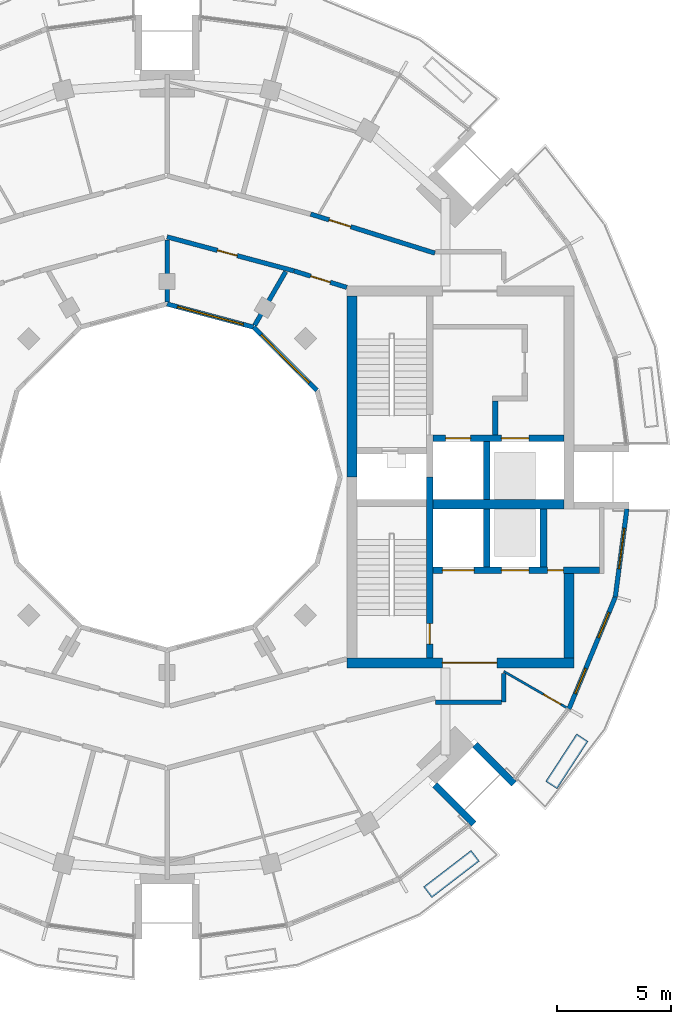
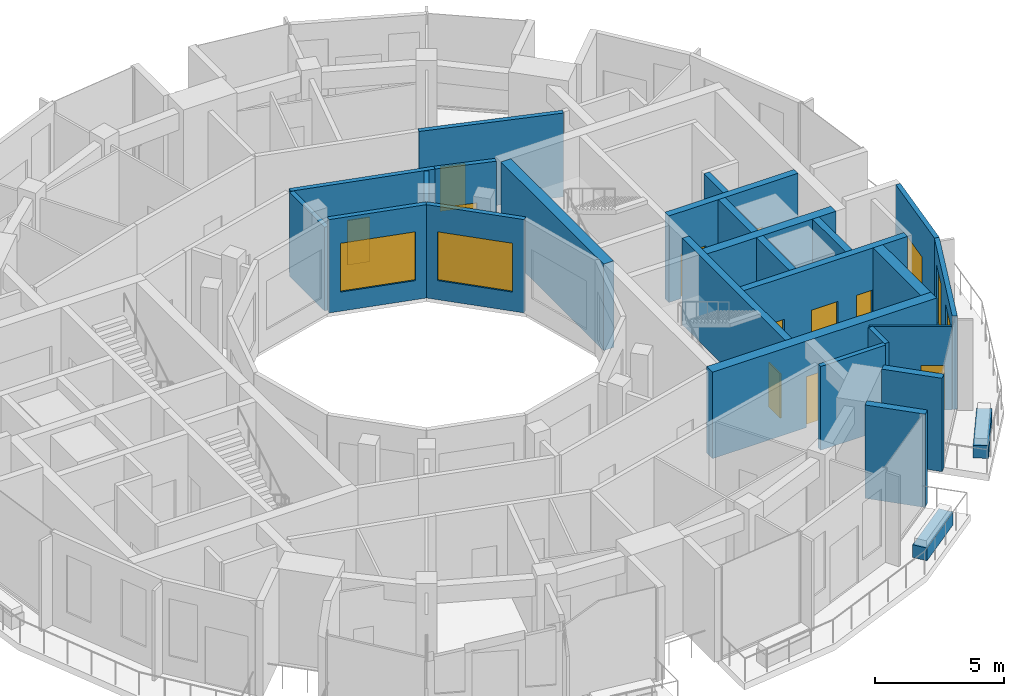
# One storey, part 10 of 15: 27 walls, 12 doors, 4 windows, 16 openings.
"""IFC4 building model written with IfcOpenShell, lengths in metres."""

from ifc_helpers import new_model, si_unit, direction, frame, frame_2d, origin, place, context, subcontext, project, spatial, rectangle, extrude, material, layer, layer_set, type_object, element, fill, save


model = new_model("IFC4")

# Units and contexts
model_context = context("Model", 3, precision=1e-05, world=origin(), true_north=direction((0.0, 1.0)))
body_context = subcontext(model_context, "Body", "Model", "MODEL_VIEW")
ifc_project = project(units=[si_unit("LENGTHUNIT", "METRE"), si_unit("AREAUNIT", "SQUARE_METRE"), si_unit("VOLUMEUNIT", "CUBIC_METRE"), si_unit("PLANEANGLEUNIT", "RADIAN"), si_unit("MASSUNIT", "GRAM", prefix="KILO")], contexts=[model_context])

# Site, building, storey
site_placement = place(None, origin())
site = spatial("IfcSite", under=ifc_project, at=site_placement, CompositionType="ELEMENT")
building_placement = place(site_placement, origin())
building = spatial("IfcBuilding", under=site, at=building_placement, Name="Torre Brocal", CompositionType="ELEMENT")
storey_placement = place(building_placement, frame((0.0, 0.0, 314.89990234375)))
storey = spatial("IfcBuildingStorey", under=building, at=storey_placement, Name="L72", CompositionType="ELEMENT", Elevation=314.89990234375)

# Wall
ifc_material_1 = material(Name="Concrete C50", Category="concrete")
ifc_layer_1 = layer(ifc_material_1, 0.25)
ifc_layer_set_1 = layer_set([ifc_layer_1], Name="Concrete C50")
wall_type_1 = type_object("IfcWallType", Name="CORE WALL 250 C50", PredefinedType="SHEAR", material=ifc_layer_set_1)
wall_1_placement = place(storey_placement, frame((94.425048828125, 76.85009765625, 0.0), z_axis=(0.0, 0.0, 1.0), x_axis=(0.0, 1.0, 0.0)))
element("IfcWall", 1, at=wall_1_placement, inside=storey, type_object=wall_type_1, Name="Wall CW250-50", PredefinedType="SHEAR", context=body_context, shape_type="SweptSolid", body=[
    extrude(rectangle(XDim=1.5, YDim=0.25, at=frame_2d((0.75, 0.0))), origin(), (0.0, 0.0, 1.0), 4.080078125),
])

# Wall, opening, door
ifc_material_2 = material(Name="Concrete C50", Category="concrete")
ifc_layer_2 = layer(ifc_material_2, 0.300048828125)
ifc_layer_set_2 = layer_set([ifc_layer_2], Name="Concrete C50")
wall_type_2 = type_object("IfcWallType", Name="CORE WALL 300 C50", PredefinedType="SHEAR", material=ifc_layer_set_2)
wall_2_placement = place(storey_placement, frame((91.550048828125, 67.050048828125, 0.0), z_axis=(0.0, 0.0, 1.0), x_axis=(0.0, 1.0, 0.0)))
wall_2 = element("IfcWall", 2, at=wall_2_placement, inside=storey, type_object=wall_type_2, Name="Wall CW300-50", PredefinedType="SHEAR", context=body_context, shape_type="SweptSolid", body=[
    extrude(rectangle(XDim=7.949951171875, YDim=0.300048828125, at=frame_2d((3.97509765625, 0.0))), origin(), (0.0, 0.0, 1.0), 4.080078125),
])
opening_1_placement = place(wall_2_placement, frame((0.60009765625, 0.0, 0.0)))
opening_1 = element("IfcOpeningElement", 3, at=opening_1_placement, cuts=wall_2, Name="Opening E-D03", PredefinedType="OPENING", context=body_context, shape_type="SweptSolid", body=[
    extrude(rectangle(XDim=0.89990234375, YDim=2.10009765625, at=frame_2d((0.449951171875, 1.050048828125))), frame((0.0, 0.159912109375, 0.0), z_axis=(0.0, -1.0, 0.0), x_axis=(1.0, 0.0, 0.0)), (0.0, 0.0, 1.0), 0.320068359375),
])
ifc_material_3 = material(Name="Steel A653", Category="steel")
door_type_1 = type_object("IfcDoorType", Name="STAIR DOOR FD120 900X2100", OperationType="SINGLE_SWING_RIGHT", PredefinedType="DOOR", material=ifc_material_3)
door_1_placement = place(opening_1_placement, origin())
door_1 = element("IfcDoor", 4, at=door_1_placement, inside=storey, type_object=door_type_1, Name="Door E-D03", OperationType="SINGLE_SWING_LEFT", OverallHeight=2.10009765625, OverallWidth=0.89990234375, PredefinedType="DOOR", context=body_context, shape_type="SweptSolid", body=[
    extrude(rectangle(XDim=0.89990234375, YDim=2.10009765625, at=frame_2d((0.449951171875, 1.050048828125))), frame((0.0, 0.02490234375, 0.0), z_axis=(0.0, -1.0, 0.0), x_axis=(1.0, 0.0, 0.0)), (0.0, 0.0, 1.0), 0.050048828125),
])
fill(opening_1, door_1)

# Wall, openings, doors
wall_3_placement = place(storey_placement, frame((91.699951171875, 76.699951171875, 0.0), z_axis=(0.0, 0.0, 1.0), x_axis=(1.0, 0.0, 0.0)))
wall_3 = element("IfcWall", 5, at=wall_3_placement, inside=storey, type_object=wall_type_2, Name="Wall CW300-50", PredefinedType="SHEAR", context=body_context, shape_type="SweptSolid", body=[
    extrude(rectangle(XDim=5.75, YDim=0.300048828125, at=frame_2d((2.875, 0.0))), origin(), (0.0, 0.0, 1.0), 4.080078125),
])
opening_2_placement = place(wall_3_placement, frame((0.550048828125, 0.0, 0.0)))
opening_2 = element("IfcOpeningElement", 6, at=opening_2_placement, cuts=wall_3, Name="Opening LD", PredefinedType="OPENING", context=body_context, shape_type="SweptSolid", body=[
    extrude(rectangle(XDim=1.10009765625, YDim=2.10009765625, at=frame_2d((0.550048828125, 1.050048828125))), frame((0.0, 0.159912109375, 0.0), z_axis=(0.0, -1.0, 0.0), x_axis=(1.0, 0.0, 0.0)), (0.0, 0.0, 1.0), 0.320068359375),
])
opening_3_placement = place(wall_3_placement, frame((3.0, 0.0, 0.0)))
opening_3 = element("IfcOpeningElement", 7, at=opening_3_placement, cuts=wall_3, Name="Opening LD12", PredefinedType="OPENING", context=body_context, shape_type="SweptSolid", body=[
    extrude(rectangle(XDim=1.199951171875, YDim=2.10009765625, at=frame_2d((0.60009765625, 1.050048828125))), frame((0.0, 0.159912109375, 0.0), z_axis=(0.0, -1.0, 0.0), x_axis=(1.0, 0.0, 0.0)), (0.0, 0.0, 1.0), 0.320068359375),
])
ifc_material_4 = material(Name="Stainless steel AISI 316", Category="steel")
door_type_2 = type_object("IfcDoorType", Name="LIFT LANDING DOOR 1100X2100", OperationType="DOUBLE_DOOR_SLIDING", PredefinedType="DOOR", material=ifc_material_4)
door_2_placement = place(opening_2_placement, origin())
door_2 = element("IfcDoor", 8, at=door_2_placement, inside=storey, type_object=door_type_2, Name="Door LD", OperationType="DOUBLE_DOOR_SLIDING", OverallHeight=2.10009765625, OverallWidth=1.10009765625, PredefinedType="DOOR", context=body_context, shape_type="SweptSolid", body=[
    extrude(rectangle(XDim=1.10009765625, YDim=2.10009765625, at=frame_2d((0.550048828125, 1.050048828125))), frame((0.0, 0.02490234375, 0.0), z_axis=(0.0, -1.0, 0.0), x_axis=(1.0, 0.0, 0.0)), (0.0, 0.0, 1.0), 0.050048828125),
])
fill(opening_2, door_2)
ifc_material_5 = material(Name="Stainless steel AISI 316", Category="steel")
door_type_3 = type_object("IfcDoorType", Name="LIFT LANDING DOOR 1200X2100", OperationType="DOUBLE_DOOR_SLIDING", PredefinedType="DOOR", material=ifc_material_5)
door_3_placement = place(opening_3_placement, origin())
door_3 = element("IfcDoor", 9, at=door_3_placement, inside=storey, type_object=door_type_3, Name="Door LD12", OperationType="DOUBLE_DOOR_SLIDING", OverallHeight=2.10009765625, OverallWidth=1.199951171875, PredefinedType="DOOR", context=body_context, shape_type="SweptSolid", body=[
    extrude(rectangle(XDim=1.199951171875, YDim=2.10009765625, at=frame_2d((0.60009765625, 1.050048828125))), frame((0.0, 0.02490234375, 0.0), z_axis=(0.0, -1.0, 0.0), x_axis=(1.0, 0.0, 0.0)), (0.0, 0.0, 1.0), 0.050048828125),
])
fill(opening_3, door_3)

wall_4_placement = place(storey_placement, frame((91.699951171875, 70.89990234375, 0.0), z_axis=(0.0, 0.0, 1.0), x_axis=(1.0, 0.0, 0.0)))
wall_4 = element("IfcWall", 10, at=wall_4_placement, inside=storey, type_object=wall_type_2, Name="Wall CW300-50", PredefinedType="SHEAR", context=body_context, shape_type="SweptSolid", body=[
    extrude(rectangle(XDim=7.300048828125, YDim=0.300048828125, at=frame_2d((3.64990234375, 0.0))), origin(), (0.0, 0.0, 1.0), 4.080078125),
])
opening_4_placement = place(wall_4_placement, frame((0.39990234375, 0.0, 0.0)))
opening_4 = element("IfcOpeningElement", 11, at=opening_4_placement, cuts=wall_4, Name="Opening LD14", PredefinedType="OPENING", context=body_context, shape_type="SweptSolid", body=[
    extrude(rectangle(XDim=1.39990234375, YDim=2.10009765625, at=frame_2d((0.699951171875, 1.050048828125))), frame((0.0, 0.159912109375, 0.0), z_axis=(0.0, -1.0, 0.0), x_axis=(1.0, 0.0, 0.0)), (0.0, 0.0, 1.0), 0.320068359375),
])
opening_5_placement = place(wall_4_placement, frame((3.0, 0.0, 0.0)))
opening_5 = element("IfcOpeningElement", 12, at=opening_5_placement, cuts=wall_4, Name="Opening LD12", PredefinedType="OPENING", context=body_context, shape_type="SweptSolid", body=[
    extrude(rectangle(XDim=1.199951171875, YDim=2.10009765625, at=frame_2d((0.60009765625, 1.050048828125))), frame((0.0, 0.159912109375, 0.0), z_axis=(0.0, -1.0, 0.0), x_axis=(1.0, 0.0, 0.0)), (0.0, 0.0, 1.0), 0.320068359375),
])
opening_6_placement = place(wall_4_placement, frame((5.02490234375, 0.0, 0.0)))
opening_6 = element("IfcOpeningElement", 13, at=opening_6_placement, cuts=wall_4, Name="Opening E-D17", PredefinedType="OPENING", context=body_context, shape_type="SweptSolid", body=[
    extrude(rectangle(XDim=0.699951171875, YDim=2.10009765625, at=frame_2d((0.35009765625, 1.050048828125))), frame((0.0, 0.159912109375, 0.0), z_axis=(0.0, -1.0, 0.0), x_axis=(1.0, 0.0, 0.0)), (0.0, 0.0, 1.0), 0.320068359375),
])
door_4_placement = place(opening_5_placement, origin())
door_4 = element("IfcDoor", 14, at=door_4_placement, inside=storey, type_object=door_type_3, Name="Door LD12", OperationType="DOUBLE_DOOR_SLIDING", OverallHeight=2.10009765625, OverallWidth=1.199951171875, PredefinedType="DOOR", context=body_context, shape_type="SweptSolid", body=[
    extrude(rectangle(XDim=1.199951171875, YDim=2.10009765625, at=frame_2d((0.60009765625, 1.050048828125))), frame((0.0, 0.02490234375, 0.0), z_axis=(0.0, -1.0, 0.0), x_axis=(1.0, 0.0, 0.0)), (0.0, 0.0, 1.0), 0.050048828125),
])
fill(opening_5, door_4)
ifc_material_6 = material(Name="Stainless steel AISI 316", Category="steel")
door_type_4 = type_object("IfcDoorType", Name="LIFT LANDING DOOR 1400X2100", OperationType="DOUBLE_DOOR_SLIDING", PredefinedType="DOOR", material=ifc_material_6)
door_5_placement = place(opening_4_placement, origin())
door_5 = element("IfcDoor", 15, at=door_5_placement, inside=storey, type_object=door_type_4, Name="Door LD14", OperationType="DOUBLE_DOOR_SLIDING", OverallHeight=2.10009765625, OverallWidth=1.39990234375, PredefinedType="DOOR", context=body_context, shape_type="SweptSolid", body=[
    extrude(rectangle(XDim=1.39990234375, YDim=2.10009765625, at=frame_2d((0.699951171875, 1.050048828125))), frame((0.0, 0.02490234375, 0.0), z_axis=(0.0, -1.0, 0.0), x_axis=(1.0, 0.0, 0.0)), (0.0, 0.0, 1.0), 0.050048828125),
])
fill(opening_4, door_5)
ifc_material_7 = material(Name="Steel A653", Category="steel")
door_type_5 = type_object("IfcDoorType", Name="ROOM DOOR FD30S 700X2100", OperationType="SINGLE_SWING_LEFT", PredefinedType="DOOR", material=ifc_material_7)
door_6_placement = place(opening_6_placement, origin())
door_6 = element("IfcDoor", 16, at=door_6_placement, inside=storey, type_object=door_type_5, Name="Door E-D17", OperationType="SINGLE_SWING_LEFT", OverallHeight=2.10009765625, OverallWidth=0.699951171875, PredefinedType="DOOR", context=body_context, shape_type="SweptSolid", body=[
    extrude(rectangle(XDim=0.699951171875, YDim=2.10009765625, at=frame_2d((0.35009765625, 1.050048828125))), frame((0.0, 0.02490234375, 0.0), z_axis=(0.0, -1.0, 0.0), x_axis=(1.0, 0.0, 0.0)), (0.0, 0.0, 1.0), 0.050048828125),
])
fill(opening_6, door_6)

# Walls
for number, where, z_axis, x_axis, name in (
    (17, (94.050048828125, 74.0, 0.0), (0.0, 0.0, 1.0), (0.0, 1.0, 0.0), "Wall CW300-50"),
    (18, (94.050048828125, 71.050048828125, 0.0), (0.0, 0.0, 1.0), (0.0, 1.0, 0.0), "Wall CW300-50"),
    (19, (96.550048828125, 71.050048828125, 0.0), (0.0, 0.0, 1.0), (0.0, 1.0, 0.0), "Wall CW300-50"),
):
    element("IfcWall", number, at=place(storey_placement, frame(where, z_axis=z_axis, x_axis=x_axis)), inside=storey, type_object=wall_type_2, Name=name, PredefinedType="SHEAR", context=body_context, shape_type="SweptSolid", body=[
        extrude(rectangle(XDim=2.550048828125, YDim=0.300048828125, at=frame_2d((1.27490234375, 0.0))), origin(), (0.0, 0.0, 1.0), 4.080078125),
    ])
ifc_material_8 = material(Name="Concrete C50", Category="concrete")
ifc_layer_3 = layer(ifc_material_8, 0.39990234375)
ifc_layer_set_3 = layer_set([ifc_layer_3], Name="Concrete C50")
wall_type_3 = type_object("IfcWallType", Name="CORE WALL 400 C50", PredefinedType="SHEAR", material=ifc_layer_set_3)
wall_5_placement = place(storey_placement, frame((91.699951171875, 73.800048828125, 0.0), z_axis=(0.0, 0.0, 1.0), x_axis=(1.0, 0.0, 0.0)))
element("IfcWall", 20, at=wall_5_placement, inside=storey, type_object=wall_type_3, Name="Wall CW400-50", PredefinedType="SHEAR", context=body_context, shape_type="SweptSolid", body=[
    extrude(rectangle(XDim=5.75, YDim=0.39990234375, at=frame_2d((2.875, 0.0))), origin(), (0.0, 0.0, 1.0), 4.080078125),
])

# Wall, opening, door
ifc_material_9 = material(Name="Concrete C50", Category="concrete")
ifc_layer_4 = layer(ifc_material_9, 0.449951171875)
ifc_layer_set_4 = layer_set([ifc_layer_4], Name="Concrete C50")
wall_type_4 = type_object("IfcWallType", Name="CORE WALL 450 C50", PredefinedType="SHEAR", material=ifc_layer_set_4)
wall_6_placement = place(storey_placement, frame((87.89990234375, 66.824951171875, 0.0), z_axis=(0.0, 0.0, 1.0), x_axis=(1.0, 0.0, 0.0)))
wall_6 = element("IfcWall", 21, at=wall_6_placement, inside=storey, type_object=wall_type_4, Name="Wall CW450-50", PredefinedType="SHEAR", context=body_context, shape_type="SweptSolid", body=[
    extrude(rectangle(XDim=10.0, YDim=0.449951171875, at=frame_2d((5.0, 0.0))), origin(), (0.0, 0.0, 1.0), 4.080078125),
])
opening_7_placement = place(wall_6_placement, frame((4.199951171875, 0.0, 0.0)))
opening_7 = element("IfcOpeningElement", 22, at=opening_7_placement, cuts=wall_6, Name="Opening E-D24", PredefinedType="OPENING", context=body_context, shape_type="SweptSolid", body=[
    extrude(rectangle(XDim=2.39990234375, YDim=2.39990234375, at=frame_2d((1.199951171875, 1.199951171875))), frame((0.0, 0.23486328125, 0.0), z_axis=(0.0, -1.0, 0.0), x_axis=(1.0, 0.0, 0.0)), (0.0, 0.0, 1.0), 0.469970703125),
])
ifc_material_10 = material(Name="Steel A653", Category="steel")
door_type_6 = type_object("IfcDoorType", Name="DOUBLE FIRE DOOR FD90 2400X2400", OperationType="DOUBLE_DOOR_SINGLE_SWING", PredefinedType="DOOR", material=ifc_material_10)
door_7_placement = place(opening_7_placement, origin())
door_7 = element("IfcDoor", 23, at=door_7_placement, inside=storey, type_object=door_type_6, Name="Door E-D24", OperationType="DOUBLE_DOOR_SINGLE_SWING", OverallHeight=2.39990234375, OverallWidth=2.39990234375, PredefinedType="DOOR", context=body_context, shape_type="SweptSolid", body=[
    extrude(rectangle(XDim=2.39990234375, YDim=2.39990234375, at=frame_2d((1.199951171875, 1.199951171875))), frame((0.0, 0.02490234375, 0.0), z_axis=(0.0, -1.0, 0.0), x_axis=(1.0, 0.0, 0.0)), (0.0, 0.0, 1.0), 0.050048828125),
])
fill(opening_7, door_7)

# Walls
wall_7_placement = place(storey_placement, frame((88.125, 75.0, 0.0), z_axis=(0.0, 0.0, 1.0), x_axis=(0.0, 1.0, 0.0)))
element("IfcWall", 24, at=wall_7_placement, inside=storey, type_object=wall_type_4, Name="Wall CW450-50", PredefinedType="SHEAR", context=body_context, shape_type="SweptSolid", body=[
    extrude(rectangle(XDim=7.949951171875, YDim=0.449951171875, at=frame_2d((3.97509765625, 0.0))), origin(), (0.0, 0.0, 1.0), 4.080078125),
])
wall_8_placement = place(storey_placement, frame((97.675048828125, 67.050048828125, 0.0), z_axis=(0.0, 0.0, 1.0), x_axis=(0.0, 1.0, 0.0)))
element("IfcWall", 25, at=wall_8_placement, inside=storey, type_object=wall_type_4, Name="Wall CW450-50", PredefinedType="SHEAR", context=body_context, shape_type="SweptSolid", body=[
    extrude(rectangle(XDim=3.699951171875, YDim=0.449951171875, at=frame_2d((1.85009765625, 0.0))), origin(), (0.0, 0.0, 1.0), 4.080078125),
])

# Wall, openings, windows
ifc_material_11 = material(Name="Concrete C40", Category="concrete")
ifc_layer_5 = layer(ifc_material_11, 0.199951171875)
ifc_layer_set_5 = layer_set([ifc_layer_5], Name="Concrete C40")
wall_type_5 = type_object("IfcWallType", Name="EXTERNAL WALL 200", PredefinedType="NOTDEFINED", material=ifc_layer_set_5)
wall_9_placement = place(storey_placement, frame((97.666259765625, 64.800537109375, 0.0), z_axis=(0.0, 0.0, 1.0), x_axis=(0.382690574388, 0.923876574156, 0.0)))
wall_9 = element("IfcWall", 26, at=wall_9_placement, inside=storey, type_object=wall_type_5, Name="EXTERNAL WALL", PredefinedType="NOTDEFINED", context=body_context, shape_type="SweptSolid", body=[
    extrude(rectangle(XDim=5.324951171875, YDim=0.199951171875, at=frame_2d((2.66259765625, 0.0))), origin(), (0.0, 0.0, 1.0), 4.400146484375),
])
opening_8_placement = place(wall_9_placement, frame((0.731201171875, 0.0, 0.89990234375)))
opening_8 = element("IfcOpeningElement", 27, at=opening_8_placement, cuts=wall_9, Name="Opening W9", PredefinedType="OPENING", context=body_context, shape_type="SweptSolid", body=[
    extrude(rectangle(XDim=1.199951171875, YDim=2.699951171875, at=frame_2d((0.60009765625, 1.35009765625))), frame((0.0, 0.10986328125, 0.0), z_axis=(0.0, -1.0, 0.0), x_axis=(1.0, 0.0, 0.0)), (0.0, 0.0, 1.0), 0.219970703125),
])
opening_9_placement = place(wall_9_placement, frame((3.39404296875, 0.0, 0.89990234375)))
opening_9 = element("IfcOpeningElement", 28, at=opening_9_placement, cuts=wall_9, Name="Opening W9", PredefinedType="OPENING", context=body_context, shape_type="SweptSolid", body=[
    extrude(rectangle(XDim=1.199951171875, YDim=2.699951171875, at=frame_2d((0.60009765625, 1.35009765625))), frame((0.0, 0.10986328125, 0.0), z_axis=(0.0, -1.0, 0.0), x_axis=(1.0, 0.0, 0.0)), (0.0, 0.0, 1.0), 0.219970703125),
])
ifc_material_12 = material(Name="Aluminium and glass", Category="aluminium")
window_type_1 = type_object("IfcWindowType", Name="PENTHOUSE TERRACE WINDOW 1200X2700", PartitioningType="SINGLE_PANEL", PredefinedType="WINDOW", material=ifc_material_12)
window_1_placement = place(opening_8_placement, origin())
window_1 = element("IfcWindow", 29, at=window_1_placement, inside=storey, type_object=window_type_1, Name="PENTHOUSE TERRACE WINDOW 1200X2700", OverallHeight=2.699951171875, OverallWidth=1.199951171875, PartitioningType="SINGLE_PANEL", PredefinedType="WINDOW", context=body_context, shape_type="SweptSolid", body=[
    extrude(rectangle(XDim=1.199951171875, YDim=2.699951171875, at=frame_2d((0.60009765625, 1.35009765625))), frame((0.0, 0.030029296875, 0.0), z_axis=(0.0, -1.0, 0.0), x_axis=(1.0, 0.0, 0.0)), (0.0, 0.0, 1.0), 0.06005859375),
])
fill(opening_8, window_1)
window_2_placement = place(opening_9_placement, origin())
window_2 = element("IfcWindow", 30, at=window_2_placement, inside=storey, type_object=window_type_1, Name="PENTHOUSE TERRACE WINDOW 1200X2700", OverallHeight=2.699951171875, OverallWidth=1.199951171875, PartitioningType="SINGLE_PANEL", PredefinedType="WINDOW", context=body_context, shape_type="SweptSolid", body=[
    extrude(rectangle(XDim=1.199951171875, YDim=2.699951171875, at=frame_2d((0.60009765625, 1.35009765625))), frame((0.0, 0.030029296875, 0.0), z_axis=(0.0, -1.0, 0.0), x_axis=(1.0, 0.0, 0.0)), (0.0, 0.0, 1.0), 0.06005859375),
])
fill(opening_9, window_2)

# Wall, opening, door
wall_10_placement = place(storey_placement, frame((99.7041015625, 69.72021484375, 0.0), z_axis=(0.0, 0.0, 1.0), x_axis=(0.130512609533, 0.991446649474, 0.0)))
wall_10 = element("IfcWall", 31, at=wall_10_placement, inside=storey, type_object=wall_type_5, Name="EXTERNAL WALL", PredefinedType="NOTDEFINED", context=body_context, shape_type="SweptSolid", body=[
    extrude(rectangle(XDim=3.913330078125, YDim=0.199951171875, at=frame_2d((1.95654296875, 0.0))), origin(), (0.0, 0.0, 1.0), 4.400146484375),
])
opening_10_placement = place(wall_10_placement, frame((1.25, 0.0, 0.0)))
opening_10 = element("IfcOpeningElement", 32, at=opening_10_placement, cuts=wall_10, Name="Opening L72-E08", PredefinedType="OPENING", context=body_context, shape_type="SweptSolid", body=[
    extrude(rectangle(XDim=1.800048828125, YDim=2.699951171875, at=frame_2d((0.89990234375, 1.35009765625))), frame((0.0, 0.10986328125, 0.0), z_axis=(0.0, -1.0, 0.0), x_axis=(1.0, 0.0, 0.0)), (0.0, 0.0, 1.0), 0.219970703125),
])
ifc_material_13 = material(Name="Aluminium and glass", Category="aluminium")
door_type_7 = type_object("IfcDoorType", Name="PENTHOUSE TERRACE DOUBLE DOOR 1800X2700", OperationType="DOUBLE_DOOR_SINGLE_SWING", PredefinedType="DOOR", material=ifc_material_13)
door_8_placement = place(opening_10_placement, frame((1.800048828125, 0.0, 0.0), z_axis=(0.0, 0.0, 1.0), x_axis=(-1.0, 0.0, 0.0)))
door_8 = element("IfcDoor", 33, at=door_8_placement, inside=storey, type_object=door_type_7, Name="DOOR L72-E08", OperationType="DOUBLE_DOOR_SINGLE_SWING", OverallHeight=2.699951171875, OverallWidth=1.800048828125, PredefinedType="DOOR", context=body_context, shape_type="SweptSolid", body=[
    extrude(rectangle(XDim=1.800048828125, YDim=2.699951171875, at=frame_2d((0.89990234375, 1.35009765625))), frame((0.0, 0.02490234375, 0.0), z_axis=(0.0, -1.0, 0.0), x_axis=(1.0, 0.0, 0.0)), (0.0, 0.0, 1.0), 0.050048828125),
])
fill(opening_10, door_8)

# Walls
ifc_material_14 = material(Name="Concrete C50", Category="concrete")
ifc_layer_6 = layer(ifc_material_14, 0.300048828125)
ifc_layer_set_6 = layer_set([ifc_layer_6], Name="Concrete C50")
wall_type_6 = type_object("IfcWallType", Name="NOTCH RETURN WALL 300 C50", PredefinedType="NOTDEFINED", material=ifc_layer_set_6)
for number, where, z_axis, x_axis, name in (
    (34, (91.7734375, 61.458984375, 0.0), (0.0, 0.0, 1.0), (0.707056246487, -0.707157312274, 0.0), "NOTCH RETURN WALL"),
    (35, (93.541015625, 63.2265625, 0.0), (0.0, 0.0, 1.0), (0.707157312274, -0.707056246487, 0.0), "NOTCH RETURN WALL"),
):
    element("IfcWall", number, at=place(storey_placement, frame(where, z_axis=z_axis, x_axis=x_axis)), inside=storey, type_object=wall_type_6, Name=name, PredefinedType="NOTDEFINED", context=body_context, shape_type="SweptSolid", body=[
        extrude(rectangle(XDim=2.415771484375, YDim=0.300048828125, at=frame_2d((1.2080078125, 0.0))), origin(), (0.0, 0.0, 1.0), 4.400146484375),
    ])

# Wall, opening, door
ifc_material_15 = material(Name="Gypsum board", Category="Gypsum")
ifc_layer_7 = layer(ifc_material_15, 0.10009765625)
ifc_layer_set_7 = layer_set([ifc_layer_7], Name="Gypsum board")
wall_type_7 = type_object("IfcWallType", Name="PARTITION 100", PredefinedType="PARTITIONING", material=ifc_layer_set_7)
wall_11_placement = place(storey_placement, frame((94.800048828125, 66.454833984375, 0.0), z_axis=(0.0, 0.0, 1.0), x_axis=(0.866056279496, -0.499946517884, 0.0)))
wall_11 = element("IfcWall", 36, at=wall_11_placement, inside=storey, type_object=wall_type_7, Name="ROOM PARTITION", PredefinedType="PARTITIONING", context=body_context, shape_type="SweptSolid", body=[
    extrude(rectangle(XDim=3.206787109375, YDim=0.10009765625, at=frame_2d((1.603515625, 0.0))), origin(), (0.0, 0.0, 1.0), 3.9501953125),
])
opening_11_placement = place(wall_11_placement, frame((2.006591796875, 0.0, 0.0)))
opening_11 = element("IfcOpeningElement", 37, at=opening_11_placement, cuts=wall_11, Name="Opening N05-D23", PredefinedType="OPENING", context=body_context, shape_type="SweptSolid", body=[
    extrude(rectangle(XDim=0.89990234375, YDim=2.10009765625, at=frame_2d((0.449951171875, 1.050048828125))), frame((0.0, 0.06005859375, 0.0), z_axis=(0.0, -1.0, 0.0), x_axis=(1.0, 0.0, 0.0)), (0.0, 0.0, 1.0), 0.1201171875),
])
ifc_material_16 = material(Name="Timber", Category="wood")
door_type_8 = type_object("IfcDoorType", Name="ROOM DOOR 900X2100", OperationType="SINGLE_SWING_LEFT", PredefinedType="DOOR", material=ifc_material_16)
door_9_placement = place(opening_11_placement, origin())
door_9 = element("IfcDoor", 38, at=door_9_placement, inside=storey, type_object=door_type_8, Name="N05-D23", OperationType="SINGLE_SWING_RIGHT", OverallHeight=2.10009765625, OverallWidth=0.89990234375, PredefinedType="DOOR", context=body_context, shape_type="SweptSolid", body=[
    extrude(rectangle(XDim=0.89990234375, YDim=2.10009765625, at=frame_2d((0.449951171875, 1.050048828125))), frame((0.0, 0.02490234375, 0.0), z_axis=(0.0, -1.0, 0.0), x_axis=(1.0, 0.0, 0.0)), (0.0, 0.0, 1.0), 0.050048828125),
])
fill(opening_11, door_9)

# Wall
ifc_material_17 = material(Name="Gypsum board", Category="Gypsum")
ifc_layer_8 = layer(ifc_material_17, 0.199951171875)
ifc_layer_set_8 = layer_set([ifc_layer_8], Name="Gypsum board")
wall_type_8 = type_object("IfcWallType", Name="PARTITION 200 EI60", PredefinedType="PARTITIONING", material=ifc_layer_set_8)
wall_12_placement = place(storey_placement, frame((80.0, 82.698974609375, 0.0), z_axis=(0.0, 0.0, 1.0), x_axis=(0.0, 1.0, 0.0)))
element("IfcWall", 39, at=wall_12_placement, inside=storey, type_object=wall_type_8, Name="PARTY PARTITION", PredefinedType="PARTITIONING", context=body_context, shape_type="SweptSolid", body=[
    extrude(rectangle(XDim=2.72509765625, YDim=0.199951171875, at=frame_2d((1.362548828125, 0.0))), origin(), (0.0, 0.0, 1.0), 3.9501953125),
])

# Wall, opening, door
wall_13_placement = place(storey_placement, frame((80.0, 85.553955078125, 0.0), z_axis=(0.0, 0.0, 1.0), x_axis=(0.965928989968, -0.258807237802, 0.0)))
wall_13 = element("IfcWall", 40, at=wall_13_placement, inside=storey, type_object=wall_type_8, Name="CORRIDOR WALL", PredefinedType="PARTITIONING", context=body_context, shape_type="SweptSolid", body=[
    extrude(rectangle(XDim=5.774169921875, YDim=0.199951171875, at=frame_2d((2.88720703125, 0.0))), origin(), (0.0, 0.0, 1.0), 3.9501953125),
])
opening_12_placement = place(wall_13_placement, frame((2.29150390625, 0.0, 0.0)))
opening_12 = element("IfcOpeningElement", 41, at=opening_12_placement, cuts=wall_13, Name="Opening N05-D15", PredefinedType="OPENING", context=body_context, shape_type="SweptSolid", body=[
    extrude(rectangle(XDim=0.89990234375, YDim=2.10009765625, at=frame_2d((0.449951171875, 1.050048828125))), frame((0.0, 0.10986328125, 0.0), z_axis=(0.0, -1.0, 0.0), x_axis=(1.0, 0.0, 0.0)), (0.0, 0.0, 1.0), 0.219970703125),
])
door_10_placement = place(opening_12_placement, frame((0.89990234375, 0.0, 0.0), z_axis=(0.0, 0.0, 1.0), x_axis=(-1.0, 0.0, 0.0)))
door_10 = element("IfcDoor", 42, at=door_10_placement, inside=storey, type_object=door_type_8, Name="N05-D15", OperationType="SINGLE_SWING_LEFT", OverallHeight=2.10009765625, OverallWidth=0.89990234375, PredefinedType="DOOR", context=body_context, shape_type="SweptSolid", body=[
    extrude(rectangle(XDim=0.89990234375, YDim=2.10009765625, at=frame_2d((0.449951171875, 1.050048828125))), frame((0.0, 0.02490234375, 0.0), z_axis=(0.0, -1.0, 0.0), x_axis=(1.0, 0.0, 0.0)), (0.0, 0.0, 1.0), 0.050048828125),
])
fill(opening_12, door_10)

# Wall
wall_14_placement = place(storey_placement, frame((83.85009765625, 81.66650390625, 0.0), z_axis=(0.0, 0.0, 1.0), x_axis=(0.500185068774, 0.865918527909, 0.0)))
element("IfcWall", 43, at=wall_14_placement, inside=storey, type_object=wall_type_8, Name="PARTY PARTITION", PredefinedType="PARTITIONING", context=body_context, shape_type="SweptSolid", body=[
    extrude(rectangle(XDim=2.7255859375, YDim=0.199951171875, at=frame_2d((1.36279296875, 0.0))), origin(), (0.0, 0.0, 1.0), 3.9501953125),
])

# Wall, opening, door
wall_15_placement = place(storey_placement, frame((85.5869140625, 84.056884765625, 0.0), z_axis=(0.0, 0.0, 1.0), x_axis=(0.954239513179, -0.299043393987, 0.0)))
wall_15 = element("IfcWall", 44, at=wall_15_placement, inside=storey, type_object=wall_type_8, Name="CORRIDOR WALL", PredefinedType="PARTITIONING", context=body_context, shape_type="SweptSolid", body=[
    extrude(rectangle(XDim=2.423828125, YDim=0.199951171875, at=frame_2d((1.2119140625, 0.0))), origin(), (0.0, 0.0, 1.0), 3.9501953125),
])
opening_13_placement = place(wall_15_placement, frame((0.761962890625, 0.0, 0.0)))
opening_13 = element("IfcOpeningElement", 45, at=opening_13_placement, cuts=wall_15, Name="Opening N05-D14", PredefinedType="OPENING", context=body_context, shape_type="SweptSolid", body=[
    extrude(rectangle(XDim=0.89990234375, YDim=2.10009765625, at=frame_2d((0.449951171875, 1.050048828125))), frame((0.0, 0.10986328125, 0.0), z_axis=(0.0, -1.0, 0.0), x_axis=(1.0, 0.0, 0.0)), (0.0, 0.0, 1.0), 0.219970703125),
])
door_11_placement = place(opening_13_placement, frame((0.89990234375, 0.0, 0.0), z_axis=(0.0, 0.0, 1.0), x_axis=(-1.0, 0.0, 0.0)))
door_11 = element("IfcDoor", 46, at=door_11_placement, inside=storey, type_object=door_type_8, Name="N05-D14", OperationType="SINGLE_SWING_LEFT", OverallHeight=2.10009765625, OverallWidth=0.89990234375, PredefinedType="DOOR", context=body_context, shape_type="SweptSolid", body=[
    extrude(rectangle(XDim=0.89990234375, YDim=2.10009765625, at=frame_2d((0.449951171875, 1.050048828125))), frame((0.0, 0.02490234375, 0.0), z_axis=(0.0, -1.0, 0.0), x_axis=(1.0, 0.0, 0.0)), (0.0, 0.0, 1.0), 0.050048828125),
])
fill(opening_13, door_11)

wall_16_placement = place(storey_placement, frame((86.3134765625, 86.555419921875, 0.0), z_axis=(0.0, 0.0, 1.0), x_axis=(0.9540216201, -0.299737799389, 0.0)))
wall_16 = element("IfcWall", 47, at=wall_16_placement, inside=storey, type_object=wall_type_8, Name="FLAT ENTRANCE WALL", PredefinedType="PARTITIONING", context=body_context, shape_type="SweptSolid", body=[
    extrude(rectangle(XDim=5.719482421875, YDim=0.199951171875, at=frame_2d((2.85986328125, 0.0))), origin(), (0.0, 0.0, 1.0), 3.9501953125),
])
opening_14_placement = place(wall_16_placement, frame((0.84765625, 0.0, 0.0)))
opening_14 = element("IfcOpeningElement", 48, at=opening_14_placement, cuts=wall_16, Name="Opening N05-D01", PredefinedType="OPENING", context=body_context, shape_type="SweptSolid", body=[
    extrude(rectangle(XDim=1.0, YDim=2.10009765625, at=frame_2d((0.5, 1.050048828125))), frame((0.0, 0.10986328125, 0.0), z_axis=(0.0, -1.0, 0.0), x_axis=(1.0, 0.0, 0.0)), (0.0, 0.0, 1.0), 0.219970703125),
])
ifc_material_18 = material(Name="Timber", Category="wood")
door_type_9 = type_object("IfcDoorType", Name="FLAT ENTRY DOOR FD30S 1000X2100", OperationType="SINGLE_SWING_RIGHT", PredefinedType="DOOR", material=ifc_material_18)
door_12_placement = place(opening_14_placement, origin())
door_12 = element("IfcDoor", 49, at=door_12_placement, inside=storey, type_object=door_type_9, Name="N05-D01", OperationType="SINGLE_SWING_LEFT", OverallHeight=2.10009765625, OverallWidth=1.0, PredefinedType="DOOR", context=body_context, shape_type="SweptSolid", body=[
    extrude(rectangle(XDim=1.0, YDim=2.10009765625, at=frame_2d((0.5, 1.050048828125))), frame((0.0, 0.02490234375, 0.0), z_axis=(0.0, -1.0, 0.0), x_axis=(1.0, 0.0, 0.0)), (0.0, 0.0, 1.0), 0.050048828125),
])
fill(opening_14, door_12)

# Walls
wall_17_placement = place(storey_placement, frame((91.800048828125, 65.10009765625, 0.0), z_axis=(0.0, 0.0, 1.0), x_axis=(1.0, 0.0, 0.0)))
element("IfcWall", 50, at=wall_17_placement, inside=storey, type_object=wall_type_8, Name="FLAT ENTRANCE WALL", PredefinedType="PARTITIONING", context=body_context, shape_type="SweptSolid", body=[
    extrude(rectangle(XDim=2.89990234375, YDim=0.199951171875, at=frame_2d((1.449951171875, 0.0))), origin(), (0.0, 0.0, 1.0), 3.9501953125),
])
wall_18_placement = place(storey_placement, frame((94.800048828125, 65.10009765625, 0.0), z_axis=(0.0, 0.0, 1.0), x_axis=(0.0, 1.0, 0.0)))
element("IfcWall", 51, at=wall_18_placement, inside=storey, type_object=wall_type_8, Name="FLAT ENTRANCE WALL", PredefinedType="PARTITIONING", context=body_context, shape_type="SweptSolid", body=[
    extrude(rectangle(XDim=1.25, YDim=0.199951171875, at=frame_2d((0.625, 0.0))), origin(), (0.0, 0.0, 1.0), 3.9501953125),
])
ifc_material_19 = material(Name="Concrete C35", Category="concrete")
ifc_layer_9 = layer(ifc_material_19, 0.60009765625)
ifc_layer_set_9 = layer_set([ifc_layer_9], Name="Concrete C35")
wall_type_9 = type_object("IfcWallType", Name="PLANTER WALL 600 THICK 600 HIGH 12", PredefinedType="USERDEFINED", material=ifc_layer_set_9)
wall_19_placement = place(storey_placement, frame((91.4560546875, 56.743896484375, 0.0), z_axis=(0.0, 0.0, 1.0), x_axis=(0.793376894156, 0.608730731785, 0.0)))
element("IfcWall", 52, at=wall_19_placement, inside=storey, type_object=wall_type_9, Name="PLANTER", ObjectType="PLANTER", PredefinedType="USERDEFINED", context=body_context, shape_type="SweptSolid", body=[
    extrude(rectangle(XDim=2.6376953125, YDim=0.60009765625, at=frame_2d((1.31884765625, 0.0))), origin(), (0.0, 0.0, 1.0), 0.60009765625),
])
wall_20_placement = place(storey_placement, frame((96.893798828125, 61.451171875, 0.0), z_axis=(0.0, 0.0, 1.0), x_axis=(0.545551817612, 0.838077093292, 0.0)))
element("IfcWall", 53, at=wall_20_placement, inside=storey, type_object=wall_type_9, Name="PLANTER", ObjectType="PLANTER", PredefinedType="USERDEFINED", context=body_context, shape_type="SweptSolid", body=[
    extrude(rectangle(XDim=2.4970703125, YDim=0.60009765625, at=frame_2d((1.24853515625, 0.0))), origin(), (0.0, 0.0, 1.0), 0.60009765625),
])

# Wall, opening, window
ifc_material_20 = material(Name="Concrete C40", Category="concrete")
ifc_layer_10 = layer(ifc_material_20, 0.199951171875)
ifc_layer_set_10 = layer_set([ifc_layer_10], Name="Concrete C40")
wall_type_10 = type_object("IfcWallType", Name="WELL FACADE WALL 200", PredefinedType="NOTDEFINED", material=ifc_layer_set_10)
wall_21_placement = place(storey_placement, frame((86.5849609375, 78.8017578125, 0.0), z_axis=(0.0, 0.0, 1.0), x_axis=(-0.707106781187, 0.707106781187, 0.0)))
wall_21 = element("IfcWall", 54, at=wall_21_placement, inside=storey, type_object=wall_type_10, Name="WELL FACADE WALL", PredefinedType="NOTDEFINED", context=body_context, shape_type="SweptSolid", body=[
    extrude(rectangle(XDim=3.93603515625, YDim=0.199951171875, at=frame_2d((1.968017578125, 0.0))), origin(), (0.0, 0.0, 1.0), 4.400146484375),
])
opening_15_placement = place(wall_21_placement, frame((0.468017578125, 0.0, 0.89990234375)))
opening_15 = element("IfcOpeningElement", 55, at=opening_15_placement, cuts=wall_21, Name="Opening W1", PredefinedType="OPENING", context=body_context, shape_type="SweptSolid", body=[
    extrude(rectangle(XDim=3.0, YDim=2.300048828125, at=frame_2d((1.5, 1.14990234375))), frame((0.0, 0.10986328125, 0.0), z_axis=(0.0, -1.0, 0.0), x_axis=(1.0, 0.0, 0.0)), (0.0, 0.0, 1.0), 0.219970703125),
])
ifc_material_21 = material(Name="Aluminium and glass", Category="aluminium")
window_type_2 = type_object("IfcWindowType", Name="WELL WINDOW 3000X2300", PartitioningType="SINGLE_PANEL", PredefinedType="WINDOW", material=ifc_material_21)
window_3_placement = place(opening_15_placement, origin())
window_3 = element("IfcWindow", 56, at=window_3_placement, inside=storey, type_object=window_type_2, Name="WELL WINDOW 3000X2300", OverallHeight=2.300048828125, OverallWidth=3.0, PartitioningType="SINGLE_PANEL", PredefinedType="WINDOW", context=body_context, shape_type="SweptSolid", body=[
    extrude(rectangle(XDim=3.0, YDim=2.300048828125, at=frame_2d((1.5, 1.14990234375))), frame((0.0, 0.030029296875, 0.0), z_axis=(0.0, -1.0, 0.0), x_axis=(1.0, 0.0, 0.0)), (0.0, 0.0, 1.0), 0.06005859375),
])
fill(opening_15, window_3)

wall_22_placement = place(storey_placement, frame((83.8017578125, 81.5849609375, 0.0), z_axis=(0.0, 0.0, 1.0), x_axis=(-0.965933654434, 0.258789828301, 0.0)))
wall_22 = element("IfcWall", 57, at=wall_22_placement, inside=storey, type_object=wall_type_10, Name="WELL FACADE WALL", PredefinedType="NOTDEFINED", context=body_context, shape_type="SweptSolid", body=[
    extrude(rectangle(XDim=3.935791015625, YDim=0.199951171875, at=frame_2d((1.9677734375, 0.0))), origin(), (0.0, 0.0, 1.0), 4.400146484375),
])
opening_16_placement = place(wall_22_placement, frame((0.468017578125, 0.0, 0.89990234375)))
opening_16 = element("IfcOpeningElement", 58, at=opening_16_placement, cuts=wall_22, Name="Opening W1", PredefinedType="OPENING", context=body_context, shape_type="SweptSolid", body=[
    extrude(rectangle(XDim=3.0, YDim=2.300048828125, at=frame_2d((1.5, 1.14990234375))), frame((0.0, 0.10986328125, 0.0), z_axis=(0.0, -1.0, 0.0), x_axis=(1.0, 0.0, 0.0)), (0.0, 0.0, 1.0), 0.219970703125),
])
window_4_placement = place(opening_16_placement, origin())
window_4 = element("IfcWindow", 59, at=window_4_placement, inside=storey, type_object=window_type_2, Name="WELL WINDOW 3000X2300", OverallHeight=2.300048828125, OverallWidth=3.0, PartitioningType="SINGLE_PANEL", PredefinedType="WINDOW", context=body_context, shape_type="SweptSolid", body=[
    extrude(rectangle(XDim=3.0, YDim=2.300048828125, at=frame_2d((1.5, 1.14990234375))), frame((0.0, 0.030029296875, 0.0), z_axis=(0.0, -1.0, 0.0), x_axis=(1.0, 0.0, 0.0)), (0.0, 0.0, 1.0), 0.06005859375),
])
fill(opening_16, window_4)

save(model, "model.ifc")
